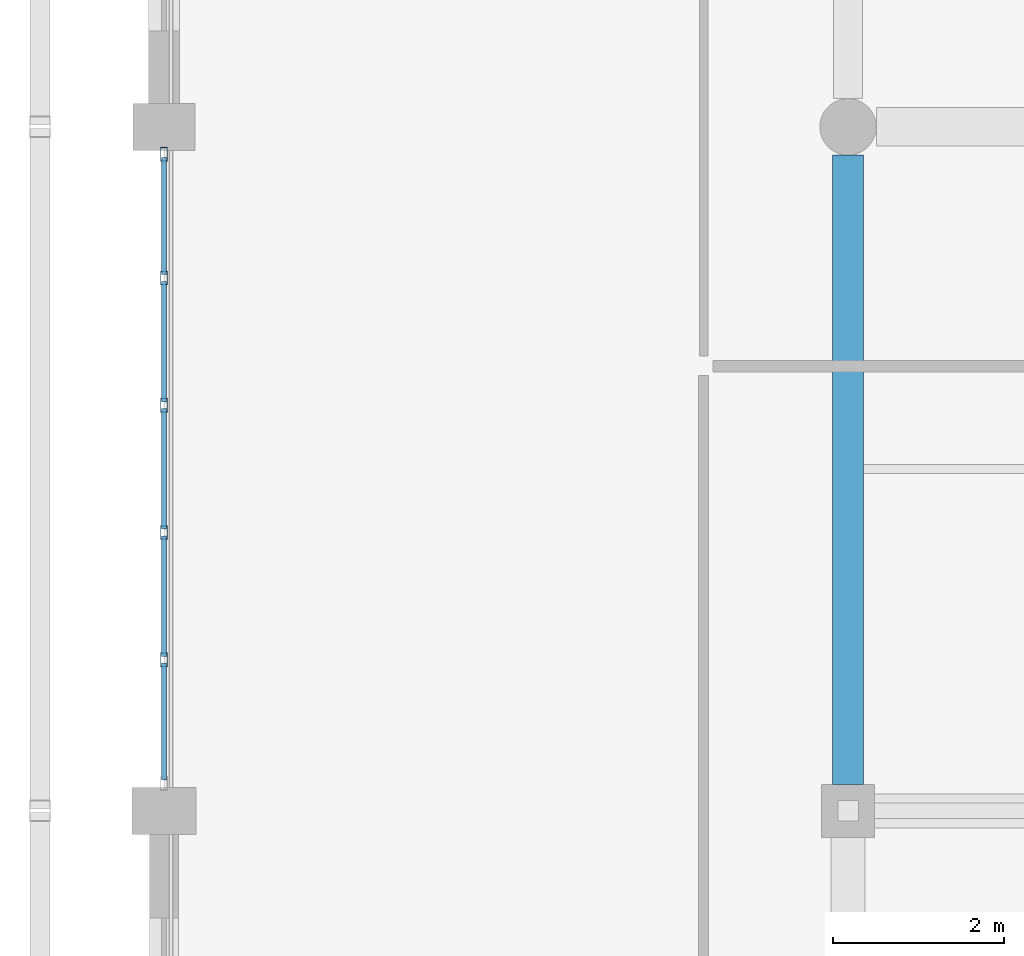
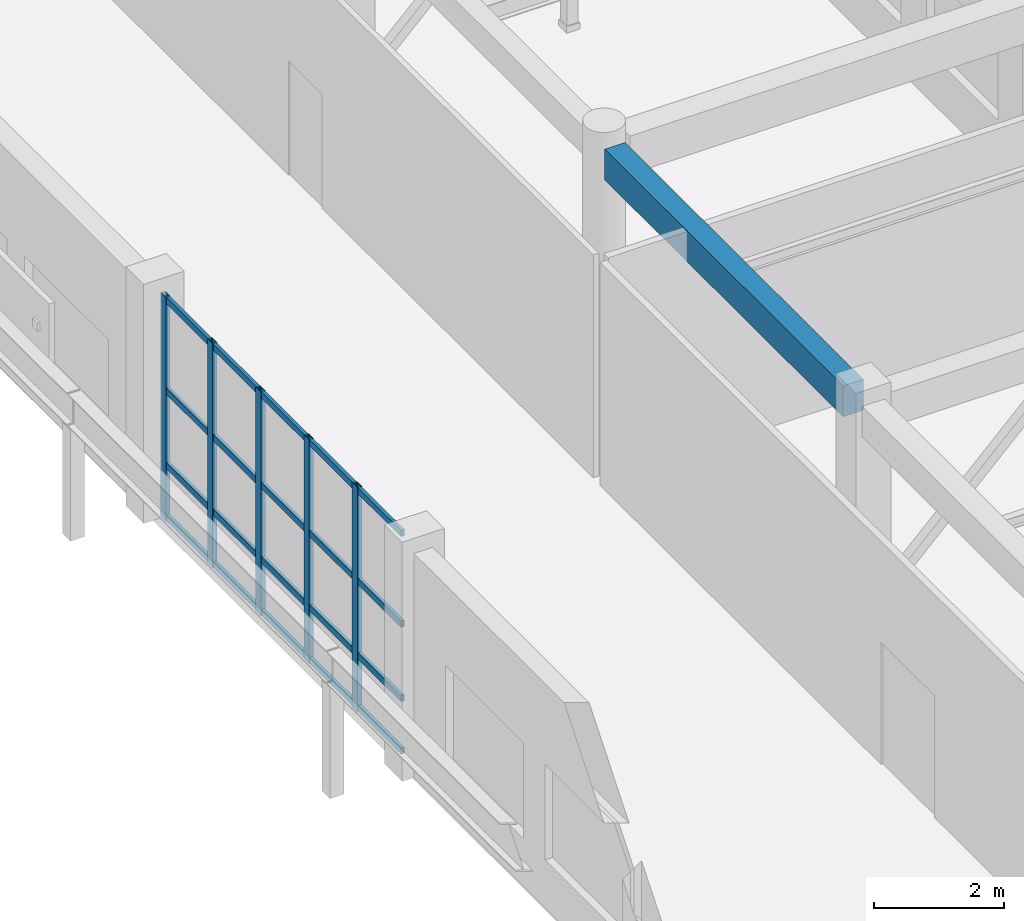
# One storey, part 63 of 160: 25 members, 1 beam, 1 element without a shape of its own.
"""IFC4 building model written with IfcOpenShell, lengths in metres."""

from ifc_helpers import new_model, si_unit, direction, frame, origin, origin_2d, place, context, subcontext, project, spatial, rectangle, hollow_rectangle, extrude, material, material_profile, profile_set, type_object, element, aggregate, save


model = new_model("IFC4")

# Units and contexts
model_context = context("Model", 3, precision=1e-05, world=origin(), true_north=direction((0.0, 1.0)))
body_context = subcontext(model_context, "Body", "Model", "MODEL_VIEW")
ifc_project = project(units=[si_unit("LENGTHUNIT", "METRE"), si_unit("AREAUNIT", "SQUARE_METRE"), si_unit("VOLUMEUNIT", "CUBIC_METRE"), si_unit("PLANEANGLEUNIT", "RADIAN"), si_unit("MASSUNIT", "GRAM", prefix="KILO")], contexts=[model_context])

# Site, building, storey
site_placement = place(None, origin())
site = spatial("IfcSite", under=ifc_project, at=site_placement, CompositionType="ELEMENT")
building_placement = place(site_placement, origin())
building = spatial("IfcBuilding", under=site, at=building_placement, Name="Kharva Crest Polytechnic", CompositionType="ELEMENT")
storey_placement = place(building_placement, frame((0.0, 0.0, 4.5)))
storey = spatial("IfcBuildingStorey", under=building, at=storey_placement, Name="L01", CompositionType="ELEMENT", Elevation=4.5)

# Beam
ifc_material_1 = material(Name="Concrete C35/45", Category="concrete")
ifc_material_profile_1 = material_profile(ifc_material_1, rectangle(XDim=0.360107421875, YDim=0.580078125, at=origin_2d()), Name="RECT 360 X 580")
ifc_profile_set_1 = profile_set([ifc_material_profile_1], Name="Concrete C35/45")
beam_type = type_object("IfcBeamType", Name="BM-RC-360X580", PredefinedType="BEAM", material=ifc_profile_set_1)
beam_placement = place(storey_placement, frame((40.0, 63.110107421875, 3.929931640625), z_axis=(0.0, 1.0, 0.0), x_axis=(-1.0, 0.0, 0.0)))
element("IfcBeam", 1, at=beam_placement, inside=storey, type_object=beam_type, Name="L01 Girder 6/J-K", PredefinedType="BEAM", context=body_context, shape_type="SweptSolid", body=[
    extrude(rectangle(XDim=0.360107421875, YDim=0.580078125, at=origin_2d()), origin(), (0.0, 0.0, 1.0), 7.35986328125),
])

# Curtain wall, members
ifc_material_2 = material(Name="Tempered insulated glass", Category="glass")
curtain_wall_type = type_object("IfcCurtainWallType", Name="CW-SYS-COURT", PredefinedType="USERDEFINED", material=ifc_material_2)
curtain_wall_placement = place(storey_placement, origin())
curtain_wall = element("IfcCurtainWall", 2, at=curtain_wall_placement, inside=storey, type_object=curtain_wall_type, Name="L01 Glazed Curtain Wall CW-054", ObjectType="CURTAIN WALL", PredefinedType="USERDEFINED")
ifc_material_3 = material(Name="Steel S355", Category="steel")
ifc_material_profile_2 = material_profile(ifc_material_3, hollow_rectangle(XDim=0.080078125, YDim=0.159912109375, WallThickness=0.0048828125, at=origin_2d()), Name="RHS 160X80X5.0")
ifc_profile_set_2 = profile_set([ifc_material_profile_2], Name="Steel S355")
member_type_1 = type_object("IfcMemberType", Name="CWM-RHS160X80", PredefinedType="MULLION", material=ifc_profile_set_2)
member_1_placement = place(storey_placement, frame((32.0, 70.47998046875, 0.0), z_axis=(0.0, 0.0, 1.0), x_axis=(1.0, 0.0, 0.0)))
member_1 = element("IfcMember", 3, at=member_1_placement, type_object=member_type_1, Name="CW-054 mullion 1", PredefinedType="MULLION", context=body_context, shape_type="SweptSolid", body=[
    extrude(hollow_rectangle(XDim=0.080078125, YDim=0.159912109375, WallThickness=0.0048828125, at=origin_2d()), origin(), (0.0, 0.0, 1.0), 4.219970703125),
])
member_2_placement = place(storey_placement, frame((32.0, 69.031982421875, 0.0), z_axis=(0.0, 0.0, 1.0), x_axis=(1.0, 0.0, 0.0)))
member_2 = element("IfcMember", 4, at=member_2_placement, type_object=member_type_1, Name="CW-054 mullion 2", PredefinedType="MULLION", context=body_context, shape_type="SweptSolid", body=[
    extrude(hollow_rectangle(XDim=0.080078125, YDim=0.159912109375, WallThickness=0.0048828125, at=origin_2d()), origin(), (0.0, 0.0, 1.0), 4.219970703125),
])
member_3_placement = place(storey_placement, frame((32.0, 67.5439453125, 0.0), z_axis=(0.0, 0.0, 1.0), x_axis=(1.0, 0.0, 0.0)))
member_3 = element("IfcMember", 5, at=member_3_placement, type_object=member_type_1, Name="CW-054 mullion 3", PredefinedType="MULLION", context=body_context, shape_type="SweptSolid", body=[
    extrude(hollow_rectangle(XDim=0.080078125, YDim=0.159912109375, WallThickness=0.0048828125, at=origin_2d()), origin(), (0.0, 0.0, 1.0), 4.219970703125),
])
member_4_placement = place(storey_placement, frame((32.0, 66.055908203125, 0.0), z_axis=(0.0, 0.0, 1.0), x_axis=(1.0, 0.0, 0.0)))
member_4 = element("IfcMember", 6, at=member_4_placement, type_object=member_type_1, Name="CW-054 mullion 4", PredefinedType="MULLION", context=body_context, shape_type="SweptSolid", body=[
    extrude(hollow_rectangle(XDim=0.080078125, YDim=0.159912109375, WallThickness=0.0048828125, at=origin_2d()), origin(), (0.0, 0.0, 1.0), 4.219970703125),
])
member_5_placement = place(storey_placement, frame((32.0, 64.568115234375, 0.0), z_axis=(0.0, 0.0, 1.0), x_axis=(1.0, 0.0, 0.0)))
member_5 = element("IfcMember", 7, at=member_5_placement, type_object=member_type_1, Name="CW-054 mullion 5", PredefinedType="MULLION", context=body_context, shape_type="SweptSolid", body=[
    extrude(hollow_rectangle(XDim=0.080078125, YDim=0.159912109375, WallThickness=0.0048828125, at=origin_2d()), origin(), (0.0, 0.0, 1.0), 4.219970703125),
])
ifc_material_profile_3 = material_profile(ifc_material_3, hollow_rectangle(XDim=0.06005859375, YDim=0.1201171875, WallThickness=0.00390625, at=origin_2d()), Name="RHS 120X60X4.0")
ifc_profile_set_3 = profile_set([ifc_material_profile_3], Name="Steel S355")
member_type_2 = type_object("IfcMemberType", Name="CWT-RHS120X60", PredefinedType="USERDEFINED", material=ifc_profile_set_3)
member_6_placement = place(storey_placement, frame((32.0, 70.43994140625, 0.06005859375), z_axis=(0.0, -1.0, 0.0), x_axis=(1.0, 0.0, 0.0)))
member_6 = element("IfcMember", 8, at=member_6_placement, type_object=member_type_2, Name="CW-054 transom 1.1", ObjectType="TRANSOM", PredefinedType="USERDEFINED", context=body_context, shape_type="SweptSolid", body=[
    extrude(hollow_rectangle(XDim=0.06005859375, YDim=0.1201171875, WallThickness=0.00390625, at=origin_2d()), origin(), (0.0, 0.0, 1.0), 1.367919921875),
])
member_7_placement = place(storey_placement, frame((32.0, 70.43994140625, 1.050048828125), z_axis=(0.0, -1.0, 0.0), x_axis=(1.0, 0.0, 0.0)))
member_7 = element("IfcMember", 9, at=member_7_placement, type_object=member_type_2, Name="CW-054 transom 1.2", ObjectType="TRANSOM", PredefinedType="USERDEFINED", context=body_context, shape_type="SweptSolid", body=[
    extrude(hollow_rectangle(XDim=0.06005859375, YDim=0.1201171875, WallThickness=0.00390625, at=origin_2d()), origin(), (0.0, 0.0, 1.0), 1.367919921875),
])
member_8_placement = place(storey_placement, frame((32.0, 70.43994140625, 2.449951171875), z_axis=(0.0, -1.0, 0.0), x_axis=(1.0, 0.0, 0.0)))
member_8 = element("IfcMember", 10, at=member_8_placement, type_object=member_type_2, Name="CW-054 transom 1.3", ObjectType="TRANSOM", PredefinedType="USERDEFINED", context=body_context, shape_type="SweptSolid", body=[
    extrude(hollow_rectangle(XDim=0.06005859375, YDim=0.1201171875, WallThickness=0.00390625, at=origin_2d()), origin(), (0.0, 0.0, 1.0), 1.367919921875),
])
member_9_placement = place(storey_placement, frame((32.0, 70.43994140625, 4.159912109375), z_axis=(0.0, -1.0, 0.0), x_axis=(1.0, 0.0, 0.0)))
member_9 = element("IfcMember", 11, at=member_9_placement, type_object=member_type_2, Name="CW-054 transom 1.4", ObjectType="TRANSOM", PredefinedType="USERDEFINED", context=body_context, shape_type="SweptSolid", body=[
    extrude(hollow_rectangle(XDim=0.06005859375, YDim=0.1201171875, WallThickness=0.00390625, at=origin_2d()), origin(), (0.0, 0.0, 1.0), 1.367919921875),
])
member_10_placement = place(storey_placement, frame((32.0, 68.991943359375, 0.06005859375), z_axis=(0.0, -1.0, 0.0), x_axis=(1.0, 0.0, 0.0)))
member_10 = element("IfcMember", 12, at=member_10_placement, type_object=member_type_2, Name="CW-054 transom 2.1", ObjectType="TRANSOM", PredefinedType="USERDEFINED", context=body_context, shape_type="SweptSolid", body=[
    extrude(hollow_rectangle(XDim=0.06005859375, YDim=0.1201171875, WallThickness=0.00390625, at=origin_2d()), origin(), (0.0, 0.0, 1.0), 1.407958984375),
])
member_11_placement = place(storey_placement, frame((32.0, 68.991943359375, 1.050048828125), z_axis=(0.0, -1.0, 0.0), x_axis=(1.0, 0.0, 0.0)))
member_11 = element("IfcMember", 13, at=member_11_placement, type_object=member_type_2, Name="CW-054 transom 2.2", ObjectType="TRANSOM", PredefinedType="USERDEFINED", context=body_context, shape_type="SweptSolid", body=[
    extrude(hollow_rectangle(XDim=0.06005859375, YDim=0.1201171875, WallThickness=0.00390625, at=origin_2d()), origin(), (0.0, 0.0, 1.0), 1.407958984375),
])
member_12_placement = place(storey_placement, frame((32.0, 68.991943359375, 2.449951171875), z_axis=(0.0, -1.0, 0.0), x_axis=(1.0, 0.0, 0.0)))
member_12 = element("IfcMember", 14, at=member_12_placement, type_object=member_type_2, Name="CW-054 transom 2.3", ObjectType="TRANSOM", PredefinedType="USERDEFINED", context=body_context, shape_type="SweptSolid", body=[
    extrude(hollow_rectangle(XDim=0.06005859375, YDim=0.1201171875, WallThickness=0.00390625, at=origin_2d()), origin(), (0.0, 0.0, 1.0), 1.407958984375),
])
member_13_placement = place(storey_placement, frame((32.0, 68.991943359375, 4.159912109375), z_axis=(0.0, -1.0, 0.0), x_axis=(1.0, 0.0, 0.0)))
member_13 = element("IfcMember", 15, at=member_13_placement, type_object=member_type_2, Name="CW-054 transom 2.4", ObjectType="TRANSOM", PredefinedType="USERDEFINED", context=body_context, shape_type="SweptSolid", body=[
    extrude(hollow_rectangle(XDim=0.06005859375, YDim=0.1201171875, WallThickness=0.00390625, at=origin_2d()), origin(), (0.0, 0.0, 1.0), 1.407958984375),
])
member_14_placement = place(storey_placement, frame((32.0, 67.50390625, 0.06005859375), z_axis=(0.0, -1.0, 0.0), x_axis=(1.0, 0.0, 0.0)))
member_14 = element("IfcMember", 16, at=member_14_placement, type_object=member_type_2, Name="CW-054 transom 3.1", ObjectType="TRANSOM", PredefinedType="USERDEFINED", context=body_context, shape_type="SweptSolid", body=[
    extrude(hollow_rectangle(XDim=0.06005859375, YDim=0.1201171875, WallThickness=0.00390625, at=origin_2d()), origin(), (0.0, 0.0, 1.0), 1.407958984375),
])
member_15_placement = place(storey_placement, frame((32.0, 67.50390625, 1.050048828125), z_axis=(0.0, -1.0, 0.0), x_axis=(1.0, 0.0, 0.0)))
member_15 = element("IfcMember", 17, at=member_15_placement, type_object=member_type_2, Name="CW-054 transom 3.2", ObjectType="TRANSOM", PredefinedType="USERDEFINED", context=body_context, shape_type="SweptSolid", body=[
    extrude(hollow_rectangle(XDim=0.06005859375, YDim=0.1201171875, WallThickness=0.00390625, at=origin_2d()), origin(), (0.0, 0.0, 1.0), 1.407958984375),
])
member_16_placement = place(storey_placement, frame((32.0, 67.50390625, 2.449951171875), z_axis=(0.0, -1.0, 0.0), x_axis=(1.0, 0.0, 0.0)))
member_16 = element("IfcMember", 18, at=member_16_placement, type_object=member_type_2, Name="CW-054 transom 3.3", ObjectType="TRANSOM", PredefinedType="USERDEFINED", context=body_context, shape_type="SweptSolid", body=[
    extrude(hollow_rectangle(XDim=0.06005859375, YDim=0.1201171875, WallThickness=0.00390625, at=origin_2d()), origin(), (0.0, 0.0, 1.0), 1.407958984375),
])
member_17_placement = place(storey_placement, frame((32.0, 67.50390625, 4.159912109375), z_axis=(0.0, -1.0, 0.0), x_axis=(1.0, 0.0, 0.0)))
member_17 = element("IfcMember", 19, at=member_17_placement, type_object=member_type_2, Name="CW-054 transom 3.4", ObjectType="TRANSOM", PredefinedType="USERDEFINED", context=body_context, shape_type="SweptSolid", body=[
    extrude(hollow_rectangle(XDim=0.06005859375, YDim=0.1201171875, WallThickness=0.00390625, at=origin_2d()), origin(), (0.0, 0.0, 1.0), 1.407958984375),
])
member_18_placement = place(storey_placement, frame((32.0, 66.01611328125, 0.06005859375), z_axis=(0.0, -1.0, 0.0), x_axis=(1.0, 0.0, 0.0)))
member_18 = element("IfcMember", 20, at=member_18_placement, type_object=member_type_2, Name="CW-054 transom 4.1", ObjectType="TRANSOM", PredefinedType="USERDEFINED", context=body_context, shape_type="SweptSolid", body=[
    extrude(hollow_rectangle(XDim=0.06005859375, YDim=0.1201171875, WallThickness=0.00390625, at=origin_2d()), origin(), (0.0, 0.0, 1.0), 1.408203125),
])
member_19_placement = place(storey_placement, frame((32.0, 66.01611328125, 1.050048828125), z_axis=(0.0, -1.0, 0.0), x_axis=(1.0, 0.0, 0.0)))
member_19 = element("IfcMember", 21, at=member_19_placement, type_object=member_type_2, Name="CW-054 transom 4.2", ObjectType="TRANSOM", PredefinedType="USERDEFINED", context=body_context, shape_type="SweptSolid", body=[
    extrude(hollow_rectangle(XDim=0.06005859375, YDim=0.1201171875, WallThickness=0.00390625, at=origin_2d()), origin(), (0.0, 0.0, 1.0), 1.408203125),
])
member_20_placement = place(storey_placement, frame((32.0, 66.01611328125, 2.449951171875), z_axis=(0.0, -1.0, 0.0), x_axis=(1.0, 0.0, 0.0)))
member_20 = element("IfcMember", 22, at=member_20_placement, type_object=member_type_2, Name="CW-054 transom 4.3", ObjectType="TRANSOM", PredefinedType="USERDEFINED", context=body_context, shape_type="SweptSolid", body=[
    extrude(hollow_rectangle(XDim=0.06005859375, YDim=0.1201171875, WallThickness=0.00390625, at=origin_2d()), origin(), (0.0, 0.0, 1.0), 1.408203125),
])
member_21_placement = place(storey_placement, frame((32.0, 66.01611328125, 4.159912109375), z_axis=(0.0, -1.0, 0.0), x_axis=(1.0, 0.0, 0.0)))
member_21 = element("IfcMember", 23, at=member_21_placement, type_object=member_type_2, Name="CW-054 transom 4.4", ObjectType="TRANSOM", PredefinedType="USERDEFINED", context=body_context, shape_type="SweptSolid", body=[
    extrude(hollow_rectangle(XDim=0.06005859375, YDim=0.1201171875, WallThickness=0.00390625, at=origin_2d()), origin(), (0.0, 0.0, 1.0), 1.408203125),
])
member_22_placement = place(storey_placement, frame((32.0, 64.528076171875, 0.06005859375), z_axis=(0.0, -1.0, 0.0), x_axis=(1.0, 0.0, 0.0)))
member_22 = element("IfcMember", 24, at=member_22_placement, type_object=member_type_2, Name="CW-054 transom 5.1", ObjectType="TRANSOM", PredefinedType="USERDEFINED", context=body_context, shape_type="SweptSolid", body=[
    extrude(hollow_rectangle(XDim=0.06005859375, YDim=0.1201171875, WallThickness=0.00390625, at=origin_2d()), origin(), (0.0, 0.0, 1.0), 1.3681640625),
])
member_23_placement = place(storey_placement, frame((32.0, 64.528076171875, 1.050048828125), z_axis=(0.0, -1.0, 0.0), x_axis=(1.0, 0.0, 0.0)))
member_23 = element("IfcMember", 25, at=member_23_placement, type_object=member_type_2, Name="CW-054 transom 5.2", ObjectType="TRANSOM", PredefinedType="USERDEFINED", context=body_context, shape_type="SweptSolid", body=[
    extrude(hollow_rectangle(XDim=0.06005859375, YDim=0.1201171875, WallThickness=0.00390625, at=origin_2d()), origin(), (0.0, 0.0, 1.0), 1.3681640625),
])
member_24_placement = place(storey_placement, frame((32.0, 64.528076171875, 2.449951171875), z_axis=(0.0, -1.0, 0.0), x_axis=(1.0, 0.0, 0.0)))
member_24 = element("IfcMember", 26, at=member_24_placement, type_object=member_type_2, Name="CW-054 transom 5.3", ObjectType="TRANSOM", PredefinedType="USERDEFINED", context=body_context, shape_type="SweptSolid", body=[
    extrude(hollow_rectangle(XDim=0.06005859375, YDim=0.1201171875, WallThickness=0.00390625, at=origin_2d()), origin(), (0.0, 0.0, 1.0), 1.3681640625),
])
member_25_placement = place(storey_placement, frame((32.0, 64.528076171875, 4.159912109375), z_axis=(0.0, -1.0, 0.0), x_axis=(1.0, 0.0, 0.0)))
member_25 = element("IfcMember", 27, at=member_25_placement, type_object=member_type_2, Name="CW-054 transom 5.4", ObjectType="TRANSOM", PredefinedType="USERDEFINED", context=body_context, shape_type="SweptSolid", body=[
    extrude(hollow_rectangle(XDim=0.06005859375, YDim=0.1201171875, WallThickness=0.00390625, at=origin_2d()), origin(), (0.0, 0.0, 1.0), 1.3681640625),
])
aggregate(curtain_wall, [member_1, member_2, member_3, member_4, member_5, member_6, member_7, member_8, member_9, member_10, member_11, member_12, member_13, member_14, member_15, member_16, member_17, member_18, member_19, member_20, member_21, member_22, member_23, member_24, member_25])

save(model, "model.ifc")
